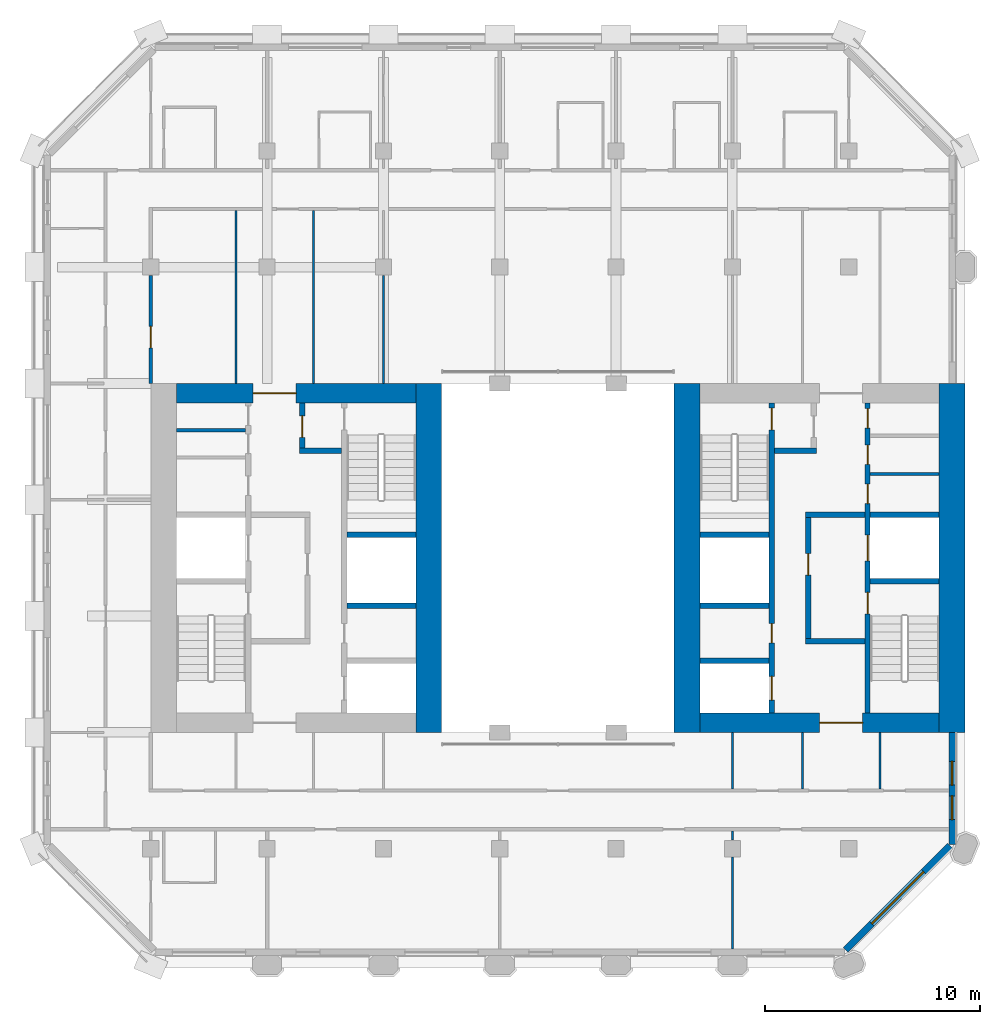
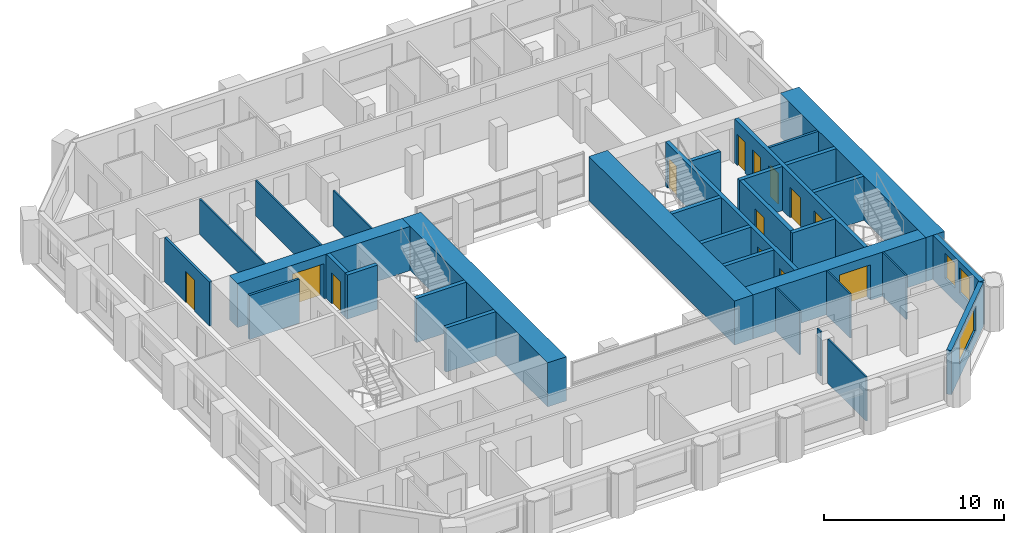
# One storey, part 8 of 14: 33 walls, 13 doors, 3 windows, 16 openings.
"""IFC4 building model written with IfcOpenShell, lengths in metres."""

import ifcopenshell
import ifcopenshell.guid

model = None  # the IFC model being written
_history = None  # IfcOwnerHistory: only IFC2X3 demands one
_inside = {}  # id of a spatial element -> (the spatial element, [elements in it])
_under = {}  # id of a project, library or spatial element -> (it, [spatial elements below it])
_declared = {}  # id of a project -> (the project, [libraries it declares])
_typed = {}  # id of a type object -> (the type object, [elements of that type])
_made_of = {}  # id of a material, layer set ... -> (it, [elements and type objects made of it])


def new_model(schema):
    """Start an empty IFC model of exactly this schema.

    Asked for "IFC4X3", IfcOpenShell would pick the latest addendum, in which some entities
    have other attributes; the version numbers below select the first issue.
    IFC2X3 requires an IfcOwnerHistory on every rooted entity: one is made here for all.
    """
    global model, _history
    if schema == "IFC4X3":
        model = ifcopenshell.file(schema_version=(4, 3, 0, 0))
    else:
        model = ifcopenshell.file(schema=schema)
    _inside.clear()
    _under.clear()
    _declared.clear()
    _typed.clear()
    _made_of.clear()
    _history = None
    if model.schema == "IFC2X3":
        org = make("IfcOrganization", Name="unknown")
        user = make(
            "IfcPersonAndOrganization",
            ThePerson=make("IfcPerson", FamilyName="unknown"),
            TheOrganization=org,
        )
        app = make(
            "IfcApplication",
            ApplicationDeveloper=org,
            Version="unknown",
            ApplicationFullName="unknown",
            ApplicationIdentifier="unknown",
        )
        _history = make(
            "IfcOwnerHistory",
            OwningUser=user,
            OwningApplication=app,
            ChangeAction="ADDED",
            CreationDate=0,
        )
    return model


def make(cls, **values):
    """One entity of the class cls with the attributes given. An attribute that is None is left unset."""
    return model.create_entity(
        cls, **{name: value for name, value in values.items() if value is not None}
    )


def rooted(cls, **values):
    """An entity with a GlobalId (a new one), such as an element, a storey or a relation."""
    return make(cls, GlobalId=ifcopenshell.guid.new(), OwnerHistory=_history, **values)


def si_unit(unit_type, name, prefix=None):
    """IfcSIUnit, for example si_unit("LENGTHUNIT", "METRE", prefix="MILLI")."""
    return make("IfcSIUnit", UnitType=unit_type, Prefix=prefix, Name=name)


def assignment(units):
    """IfcUnitAssignment: the units of a project."""
    return None if units is None else make("IfcUnitAssignment", Units=units)


def point(xyz):
    """IfcCartesianPoint."""
    return None if xyz is None else make("IfcCartesianPoint", Coordinates=xyz)


def direction(xyz):
    """IfcDirection."""
    return None if xyz is None else make("IfcDirection", DirectionRatios=xyz)


def frame(location, z_axis=None, x_axis=None):
    """IfcAxis2Placement3D, a coordinate frame: its origin and axes. An axis left out is left unset."""
    return make(
        "IfcAxis2Placement3D",
        Location=point(location),
        Axis=direction(z_axis),
        RefDirection=direction(x_axis),
    )


def frame_2d(location, x_axis=None):
    """IfcAxis2Placement2D, a coordinate frame in the plane: its origin and x axis."""
    return make(
        "IfcAxis2Placement2D", Location=point(location), RefDirection=direction(x_axis)
    )


def origin():
    """The frame at (0, 0, 0) with its axes left unset."""
    return frame((0.0, 0.0, 0.0))


def place(relative_to, where):
    """IfcLocalPlacement: puts the frame where relative to a parent placement (None: the world)."""
    return make(
        "IfcLocalPlacement", PlacementRelTo=relative_to, RelativePlacement=where
    )


def context(
    kind, dimensions, precision=None, world=None, true_north=None, identifier=None
):
    """IfcGeometricRepresentationContext, for example the 3D "Model" context."""
    return make(
        "IfcGeometricRepresentationContext",
        ContextIdentifier=identifier,
        ContextType=kind,
        CoordinateSpaceDimension=dimensions,
        Precision=precision,
        WorldCoordinateSystem=world,
        TrueNorth=true_north,
    )


def subcontext(parent, identifier, kind, view, scale=None):
    """IfcGeometricRepresentationSubContext, for example "Body" below "Model"."""
    return make(
        "IfcGeometricRepresentationSubContext",
        ContextIdentifier=identifier,
        ContextType=kind,
        ParentContext=parent,
        TargetScale=scale,
        TargetView=view,
    )


def project(units=None, contexts=None):
    """IfcProject with its units and contexts."""
    return rooted(
        "IfcProject",
        Name="project",
        RepresentationContexts=contexts,
        UnitsInContext=assignment(units),
    )


def spatial(cls, under=None, at=None, **own):
    """A site, building, storey or space (cls), placed at a placement, below another one or the project."""
    s = rooted(cls, ObjectPlacement=at, **own)
    if under is not None:
        _under.setdefault(under.id(), (under, []))[1].append(s)
    return s


def profile(cls, at=None, kind="AREA", **sizes):
    """A parametric profile (cls). Its sizes go by their IFC names, for example OverallWidth=200.0."""
    return make(cls, ProfileType=kind, Position=at, **sizes)


def rectangle(**sizes):
    """IfcRectangleProfileDef."""
    return profile("IfcRectangleProfileDef", **sizes)


def extrude(swept, where, along, depth):
    """IfcExtrudedAreaSolid: the profile swept, set in the frame where, extruded along a direction by depth."""
    return make(
        "IfcExtrudedAreaSolid",
        SweptArea=swept,
        Position=where,
        ExtrudedDirection=direction(along),
        Depth=depth,
    )


def shape(context_of_items, identifier, shape_type, items):
    """IfcShapeRepresentation: the items that make up one representation, for example the "Body"."""
    return make(
        "IfcShapeRepresentation",
        ContextOfItems=context_of_items,
        RepresentationIdentifier=identifier,
        RepresentationType=shape_type,
        Items=items,
    )


def material(Name=None, Category=None):
    """IfcMaterial."""
    return make("IfcMaterial", Name=Name, Category=Category)


def layer(
    of_material, thickness, ventilated=None, Name=None, Category=None, Priority=None
):
    """IfcMaterialLayer: one layer of a wall or slab, of a material (None: an air gap)."""
    return make(
        "IfcMaterialLayer",
        Material=of_material,
        LayerThickness=thickness,
        IsVentilated=ventilated,
        Name=Name,
        Category=Category,
        Priority=Priority,
    )


def layer_set(layers, Name=None):
    """IfcMaterialLayerSet."""
    return make("IfcMaterialLayerSet", MaterialLayers=layers, LayerSetName=Name)


def made_of(thing, what):
    """Note that an element or type object is made of a material, layer set ...; save() writes the relation."""
    if what is not None:
        _made_of.setdefault(what.id(), (what, []))[1].append(thing)
    return thing


def type_object(cls, material=None, **own):
    """A type object (cls), such as IfcWallType, which elements share."""
    return made_of(rooted(cls, **own), material)


def element(
    cls,
    number,
    at=None,
    inside=None,
    cuts=None,
    type_object=None,
    material=None,
    context=None,
    identifier="Body",
    shape_type=None,
    held_by="IfcProductDefinitionShape",
    body=None,
    shapes=None,
    **own,
):
    """One element of the class cls, such as IfcWall. Its Tag is "e" and its number.

    at: its placement. inside: the storey or other place that contains it. cuts: it is an
    opening in that element (IfcRelVoidsElement). A single representation is given by context,
    identifier, shape_type and body (its items); several are given by shapes. held_by: the class
    of the entity that holds the representations. save() writes the other relations.
    """
    e = rooted(cls, Tag="e%d" % number, ObjectPlacement=at, **own)
    if body is not None:
        shapes = [shape(context, identifier, shape_type, body)]
    if shapes is not None:
        e.Representation = make(held_by, Representations=shapes)
    if inside is not None:
        _inside.setdefault(inside.id(), (inside, []))[1].append(e)
    if cuts is not None:
        rooted(
            "IfcRelVoidsElement", RelatingBuildingElement=cuts, RelatedOpeningElement=e
        )
    if type_object is not None:
        _typed.setdefault(type_object.id(), (type_object, []))[1].append(e)
    return made_of(e, material)


def fill(opening, filler):
    """IfcRelFillsElement: the door or window that sits in an opening."""
    return rooted(
        "IfcRelFillsElement",
        RelatingOpeningElement=opening,
        RelatedBuildingElement=filler,
    )


def aggregate(whole, parts):
    """IfcRelAggregates: a whole, such as a stair, and the parts it consists of."""
    return rooted("IfcRelAggregates", RelatingObject=whole, RelatedObjects=parts)


def save(model, path):
    """Write the relations noted so far, then the file.

    IfcRelAggregates (storeys below a building ...), IfcRelContainedInSpatialStructure (elements
    in a storey), IfcRelDefinesByType, IfcRelAssociatesMaterial and IfcRelDeclares: one each for
    every whole, place, type object, material and project.
    """
    for whole, parts in _under.values():
        aggregate(whole, parts)
    for where, things in _inside.values():
        rooted(
            "IfcRelContainedInSpatialStructure",
            RelatedElements=things,
            RelatingStructure=where,
        )
    for kind, things in _typed.values():
        rooted("IfcRelDefinesByType", RelatedObjects=things, RelatingType=kind)
    for what, things in _made_of.values():
        rooted("IfcRelAssociatesMaterial", RelatedObjects=things, RelatingMaterial=what)
    for by, libraries in _declared.values():
        rooted("IfcRelDeclares", RelatingContext=by, RelatedDefinitions=libraries)
    model.write(path)


model = new_model("IFC4")

# Units and contexts
model_context = context("Model", 3, precision=1e-05, world=origin(), true_north=direction((0.0, 1.0)))
body_context = subcontext(model_context, "Body", "Model", "MODEL_VIEW")
ifc_project = project(units=[si_unit("LENGTHUNIT", "METRE"), si_unit("AREAUNIT", "SQUARE_METRE"), si_unit("VOLUMEUNIT", "CUBIC_METRE"), si_unit("PLANEANGLEUNIT", "RADIAN"), si_unit("MASSUNIT", "GRAM", prefix="KILO")], contexts=[model_context])

# Site, building, storey
site_placement = place(None, origin())
site = spatial("IfcSite", under=ifc_project, at=site_placement, CompositionType="ELEMENT")
building_placement = place(site_placement, origin())
building = spatial("IfcBuilding", under=site, at=building_placement, Name="Tabaq Tower and Sports Hall", CompositionType="ELEMENT")
storey_placement = place(building_placement, frame((0.0, 0.0, 226.89990234375)))
storey = spatial("IfcBuildingStorey", under=building, at=storey_placement, Name="L57", CompositionType="ELEMENT", Elevation=226.89990234375)

# Walls
ifc_material_1 = material(Name="Blockwork", Category="masonry")
ifc_layer_1 = layer(ifc_material_1, 0.14990234375)
ifc_layer_set_1 = layer_set([ifc_layer_1], Name="Core room partition 150 Blockwork")
wall_type_1 = type_object("IfcWallType", Name="Core room partition 150 Blockwork", PredefinedType="PARTITIONING", material=ifc_layer_set_1)
for number, where, z_axis, x_axis, name in (
    (1, (6.60009765625, 30.23193359375, 0.0), (0.0, 0.0, 1.0), (1.0, 0.0, 0.0), "Core room partition W L57"),
    (2, (38.800048828125, 28.200927734375, 0.0), (0.0, 0.0, 1.0), (1.0, 0.0, 0.0), "Core room partition E L57"),
):
    element("IfcWall", number, at=place(storey_placement, frame(where, z_axis=z_axis, x_axis=x_axis)), inside=storey, type_object=wall_type_1, Name=name, PredefinedType="PARTITIONING", context=body_context, shape_type="SweptSolid", body=[
        extrude(rectangle(XDim=3.199951171875, YDim=0.14990234375, at=frame_2d((1.60009765625, 0.0))), origin(), (0.0, 0.0, 1.0), 3.0),
    ])
ifc_material_2 = material(Name="Concrete C50/60", Category="concrete")
ifc_layer_2 = layer(ifc_material_2, 1.199951171875)
ifc_layer_set_2 = layer_set([ifc_layer_2], Name="Core wall 1200 Concrete C50/60")
wall_type_2 = type_object("IfcWallType", Name="Core wall 1200 Concrete C50/60", PredefinedType="SOLIDWALL", material=ifc_layer_set_2)
for number, where, z_axis, x_axis, name in (
    (3, (18.300048828125, 32.39990234375, 0.0), (0.0, 0.0, 1.0), (0.0, -1.0, 0.0), "Core wall W L57"),
    (4, (42.60009765625, 32.39990234375, 0.0), (0.0, 0.0, 1.0), (0.0, -1.0, 0.0), "Core wall E L57"),
    (5, (30.300048828125, 16.199951171875, 0.0), (0.0, 0.0, 1.0), (0.0, 1.0, 0.0), "Core wall E L57"),
):
    element("IfcWall", number, at=place(storey_placement, frame(where, z_axis=z_axis, x_axis=x_axis)), inside=storey, type_object=wall_type_2, Name=name, PredefinedType="SOLIDWALL", context=body_context, shape_type="SweptSolid", body=[
        extrude(rectangle(XDim=16.199951171875, YDim=1.199951171875, at=frame_2d((8.10009765625, 0.0))), origin(), (0.0, 0.0, 1.0), 3.0),
    ])

# Wall, opening, door
ifc_material_3 = material(Name="Concrete C50/60", Category="concrete")
ifc_layer_3 = layer(ifc_material_3, 0.89990234375)
ifc_layer_set_3 = layer_set([ifc_layer_3], Name="Core wall 900 Concrete C50/60")
wall_type_3 = type_object("IfcWallType", Name="Core wall 900 Concrete C50/60", PredefinedType="SOLIDWALL", material=ifc_layer_set_3)
wall_1_placement = place(storey_placement, frame((6.60009765625, 31.949951171875, 0.0), z_axis=(0.0, 0.0, 1.0), x_axis=(1.0, 0.0, 0.0)))
wall_1 = element("IfcWall", 6, at=wall_1_placement, inside=storey, type_object=wall_type_3, Name="Core wall W L57", PredefinedType="SOLIDWALL", context=body_context, shape_type="SweptSolid", body=[
    extrude(rectangle(XDim=11.099853515625, YDim=0.89990234375, at=frame_2d((5.5498046875, 0.0))), origin(), (0.0, 0.0, 1.0), 3.0),
])
opening_1_placement = place(wall_1_placement, frame((3.550048828125, 0.0, 0.0)))
opening_1 = element("IfcOpeningElement", 7, at=opening_1_placement, cuts=wall_1, Name="Opening PD-WL57-02", PredefinedType="OPENING", context=body_context, shape_type="SweptSolid", body=[
    extrude(rectangle(XDim=2.0, YDim=2.39990234375, at=frame_2d((1.0, 1.199951171875))), frame((0.0, 0.449951171875, 0.0), z_axis=(0.0, -1.0, 0.0), x_axis=(1.0, 0.0, 0.0)), (0.0, 0.0, 1.0), 0.89990234375),
])
ifc_material_4 = material(Name="Steel fire door", Category="steel")
door_type_1 = type_object("IfcDoorType", Name="Core entrance door 2000", OperationType="DOUBLE_DOOR_SINGLE_SWING", PredefinedType="DOOR", material=ifc_material_4)
door_1_placement = place(opening_1_placement, origin())
door_1 = element("IfcDoor", 8, at=door_1_placement, inside=storey, type_object=door_type_1, Name="Core entrance north W L57", OperationType="DOUBLE_DOOR_SINGLE_SWING", OverallHeight=2.39990234375, OverallWidth=2.0, PredefinedType="DOOR", context=body_context, shape_type="SweptSolid", body=[
    extrude(rectangle(XDim=2.0, YDim=2.39990234375, at=frame_2d((1.0, 1.199951171875))), frame((0.0, 0.02490234375, 0.0), z_axis=(0.0, -1.0, 0.0), x_axis=(1.0, 0.0, 0.0)), (0.0, 0.0, 1.0), 0.050048828125),
])
fill(opening_1, door_1)

wall_2_placement = place(storey_placement, frame((42.0, 16.64990234375, 0.0), z_axis=(0.0, 0.0, 1.0), x_axis=(-1.0, 0.0, 0.0)))
wall_2 = element("IfcWall", 9, at=wall_2_placement, inside=storey, type_object=wall_type_3, Name="Core wall E L57", PredefinedType="SOLIDWALL", context=body_context, shape_type="SweptSolid", body=[
    extrude(rectangle(XDim=11.10009765625, YDim=0.89990234375, at=frame_2d((5.550048828125, 0.0))), origin(), (0.0, 0.0, 1.0), 3.0),
])
opening_2_placement = place(wall_2_placement, frame((3.550048828125, 0.0, 0.0)))
opening_2 = element("IfcOpeningElement", 10, at=opening_2_placement, cuts=wall_2, Name="Opening PD-EL57-01", PredefinedType="OPENING", context=body_context, shape_type="SweptSolid", body=[
    extrude(rectangle(XDim=2.0, YDim=2.39990234375, at=frame_2d((1.0, 1.199951171875))), frame((0.0, 0.449951171875, 0.0), z_axis=(0.0, -1.0, 0.0), x_axis=(1.0, 0.0, 0.0)), (0.0, 0.0, 1.0), 0.89990234375),
])
door_2_placement = place(opening_2_placement, origin())
door_2 = element("IfcDoor", 11, at=door_2_placement, inside=storey, type_object=door_type_1, Name="Core entrance south E L57", OperationType="DOUBLE_DOOR_SINGLE_SWING", OverallHeight=2.39990234375, OverallWidth=2.0, PredefinedType="DOOR", context=body_context, shape_type="SweptSolid", body=[
    extrude(rectangle(XDim=2.0, YDim=2.39990234375, at=frame_2d((1.0, 1.199951171875))), frame((0.0, 0.02490234375, 0.0), z_axis=(0.0, -1.0, 0.0), x_axis=(1.0, 0.0, 0.0)), (0.0, 0.0, 1.0), 0.050048828125),
])
fill(opening_2, door_2)

# Walls
ifc_material_5 = material(Name="Gypsum board on steel studs", Category="steel")
ifc_layer_4 = layer(ifc_material_5, 0.10009765625)
ifc_layer_set_4 = layer_set([ifc_layer_4], Name="Partition 100 Gypsum board")
wall_type_4 = type_object("IfcWallType", Name="Partition 100 Gypsum board", PredefinedType="PARTITIONING", material=ifc_layer_set_4)
wall_3_placement = place(storey_placement, frame((16.199951171875, 37.405029296875, 0.0), z_axis=(0.0, 0.0, 1.0), x_axis=(0.0, -1.0, 0.0)))
element("IfcWall", 12, at=wall_3_placement, inside=storey, type_object=wall_type_4, Name="Partition wall L57", PredefinedType="PARTITIONING", context=body_context, shape_type="SweptSolid", body=[
    extrude(rectangle(XDim=5.005126953125, YDim=0.10009765625, at=frame_2d((2.50244140625, 0.0))), origin(), (0.0, 0.0, 1.0), 2.400146484375),
])
for number, where, z_axis, x_axis, name in (
    (13, (12.949951171875, 32.39990234375, 0.0), (0.0, 0.0, 1.0), (0.0, 1.0, 0.0), "Partition wall L57"),
    (14, (9.35009765625, 40.425048828125, 0.0), (0.0, 0.0, 1.0), (0.0, -1.0, 0.0), "Partition wall L57"),
):
    element("IfcWall", number, at=place(storey_placement, frame(where, z_axis=z_axis, x_axis=x_axis)), inside=storey, type_object=wall_type_4, Name=name, PredefinedType="PARTITIONING", context=body_context, shape_type="SweptSolid", body=[
        extrude(rectangle(XDim=8.025146484375, YDim=0.10009765625, at=frame_2d((4.0126953125, 0.0))), origin(), (0.0, 0.0, 1.0), 2.400146484375),
    ])
wall_4_placement = place(storey_placement, frame((32.39990234375, 11.625, 0.0), z_axis=(0.0, 0.0, 1.0), x_axis=(0.0, -1.0, 0.0)))
element("IfcWall", 15, at=wall_4_placement, inside=storey, type_object=wall_type_4, Name="Partition wall L57", PredefinedType="PARTITIONING", context=body_context, shape_type="SweptSolid", body=[
    extrude(rectangle(XDim=0.429931640625, YDim=0.10009765625, at=frame_2d((0.21484375, 0.0))), origin(), (0.0, 0.0, 1.0), 3.0),
])
wall_5_placement = place(storey_placement, frame((32.39990234375, 10.405029296875, 0.0), z_axis=(0.0, 0.0, 1.0), x_axis=(0.0, -1.0, 0.0)))
element("IfcWall", 16, at=wall_5_placement, inside=storey, type_object=wall_type_4, Name="Partition wall L57", PredefinedType="PARTITIONING", context=body_context, shape_type="SweptSolid", body=[
    extrude(rectangle(XDim=4.254150390625, YDim=0.10009765625, at=frame_2d((2.126953125, 0.0))), origin(), (0.0, 0.0, 1.0), 3.0),
])
for number, where, z_axis, x_axis, name in (
    (17, (32.39990234375, 13.574951171875, 0.0), (0.0, 0.0, 1.0), (0.0, 1.0, 0.0), "Partition wall L57"),
    (18, (39.25, 13.574951171875, 0.0), (0.0, 0.0, 1.0), (0.0, 1.0, 0.0), "Partition wall L57"),
    (19, (35.64990234375, 16.199951171875, 0.0), (0.0, 0.0, 1.0), (0.0, -1.0, 0.0), "Partition wall L57"),
):
    element("IfcWall", number, at=place(storey_placement, frame(where, z_axis=z_axis, x_axis=x_axis)), inside=storey, type_object=wall_type_4, Name=name, PredefinedType="PARTITIONING", context=body_context, shape_type="SweptSolid", body=[
        extrude(rectangle(XDim=2.625, YDim=0.10009765625, at=frame_2d((1.3125, 0.0))), origin(), (0.0, 0.0, 1.0), 3.0),
    ])

# Wall, opening, door
ifc_material_6 = material(Name="Blockwork", Category="masonry")
ifc_layer_5 = layer(ifc_material_6, 0.14990234375)
ifc_layer_set_5 = layer_set([ifc_layer_5], Name="Separating wall 150 Blockwork")
wall_type_5 = type_object("IfcWallType", Name="Separating wall 150 Blockwork", PredefinedType="PARTITIONING", material=ifc_layer_set_5)
wall_6_placement = place(storey_placement, frame((5.39990234375, 32.39990234375, 0.0), z_axis=(0.0, 0.0, 1.0), x_axis=(0.0, 1.0, 0.0)))
wall_6 = element("IfcWall", 20, at=wall_6_placement, inside=storey, type_object=wall_type_5, Name="Separating wall L57", PredefinedType="PARTITIONING", context=body_context, shape_type="SweptSolid", body=[
    extrude(rectangle(XDim=5.005126953125, YDim=0.14990234375, at=frame_2d((2.50244140625, 0.0))), origin(), (0.0, 0.0, 1.0), 3.0),
])
opening_3_placement = place(wall_6_placement, frame((1.654052734375, 0.0, 0.0)))
opening_3 = element("IfcOpeningElement", 21, at=opening_3_placement, cuts=wall_6, Name="Opening L57-011", PredefinedType="OPENING", context=body_context, shape_type="SweptSolid", body=[
    extrude(rectangle(XDim=1.0, YDim=2.10009765625, at=frame_2d((0.5, 1.050048828125))), frame((0.0, 0.074951171875, 0.0), z_axis=(0.0, -1.0, 0.0), x_axis=(1.0, 0.0, 0.0)), (0.0, 0.0, 1.0), 0.14990234375),
])
ifc_material_7 = material(Name="Timber leaf in steel frame", Category="steel")
door_type_2 = type_object("IfcDoorType", Name="Internal door 1000 left hand", OperationType="SINGLE_SWING_LEFT", PredefinedType="DOOR", material=ifc_material_7)
door_3_placement = place(opening_3_placement, origin())
door_3 = element("IfcDoor", 22, at=door_3_placement, inside=storey, type_object=door_type_2, Name="Internal door L57-011", OperationType="SINGLE_SWING_LEFT", OverallHeight=2.10009765625, OverallWidth=1.0, PredefinedType="DOOR", context=body_context, shape_type="SweptSolid", body=[
    extrude(rectangle(XDim=1.0, YDim=2.10009765625, at=frame_2d((0.5, 1.050048828125))), frame((0.0, 0.02490234375, 0.0), z_axis=(0.0, -1.0, 0.0), x_axis=(1.0, 0.0, 0.0)), (0.0, 0.0, 1.0), 0.050048828125),
])
fill(opening_3, door_3)

# Walls
ifc_material_8 = material(Name="Concrete C40/50", Category="concrete")
ifc_layer_6 = layer(ifc_material_8, 0.25)
ifc_layer_set_6 = layer_set([ifc_layer_6], Name="Shaft and stair wall 250 Concrete C40/50")
wall_type_6 = type_object("IfcWallType", Name="Shaft and stair wall 250 Concrete C40/50", PredefinedType="SOLIDWALL", material=ifc_layer_set_6)
for number, where, z_axis, x_axis, name in (
    (23, (14.5, 25.375, 0.0), (0.0, 0.0, 1.0), (1.0, 0.0, 0.0), "Stair enclosure wall W L57"),
    (24, (14.5, 22.074951171875, 0.0), (0.0, 0.0, 1.0), (1.0, 0.0, 0.0), "Shaft wall W L57"),
):
    element("IfcWall", number, at=place(storey_placement, frame(where, z_axis=z_axis, x_axis=x_axis)), inside=storey, type_object=wall_type_6, Name=name, PredefinedType="SOLIDWALL", context=body_context, shape_type="SweptSolid", body=[
        extrude(rectangle(XDim=3.199951171875, YDim=0.25, at=frame_2d((1.60009765625, 0.0))), origin(), (0.0, 0.0, 1.0), 3.0),
    ])

# Wall, opening, door
wall_7_placement = place(storey_placement, frame((12.425048828125, 29.39990234375, 0.0), z_axis=(0.0, 0.0, 1.0), x_axis=(0.0, 1.0, 0.0)))
wall_7 = element("IfcWall", 25, at=wall_7_placement, inside=storey, type_object=wall_type_6, Name="Fire-fighting lobby wall W L57", PredefinedType="SOLIDWALL", context=body_context, shape_type="SweptSolid", body=[
    extrude(rectangle(XDim=2.10009765625, YDim=0.25, at=frame_2d((1.050048828125, 0.0))), origin(), (0.0, 0.0, 1.0), 3.0),
])
opening_4_placement = place(wall_7_placement, frame((0.5, 0.0, 0.0)))
opening_4 = element("IfcOpeningElement", 26, at=opening_4_placement, cuts=wall_7, Name="Opening FD-WL57-06", PredefinedType="OPENING", context=body_context, shape_type="SweptSolid", body=[
    extrude(rectangle(XDim=1.0, YDim=2.10009765625, at=frame_2d((0.5, 1.050048828125))), frame((0.0, 0.125, 0.0), z_axis=(0.0, -1.0, 0.0), x_axis=(1.0, 0.0, 0.0)), (0.0, 0.0, 1.0), 0.25),
])
ifc_material_9 = material(Name="Steel fire door", Category="steel")
door_type_3 = type_object("IfcDoorType", Name="Fire-fighting lobby door 1000", OperationType="SINGLE_SWING_LEFT", PredefinedType="DOOR", material=ifc_material_9)
door_4_placement = place(opening_4_placement, origin())
door_4 = element("IfcDoor", 27, at=door_4_placement, inside=storey, type_object=door_type_3, Name="Stair lobby door W L57", OperationType="SINGLE_SWING_LEFT", OverallHeight=2.10009765625, OverallWidth=1.0, PredefinedType="DOOR", context=body_context, shape_type="SweptSolid", body=[
    extrude(rectangle(XDim=1.0, YDim=2.10009765625, at=frame_2d((0.5, 1.050048828125))), frame((0.0, 0.02490234375, 0.0), z_axis=(0.0, -1.0, 0.0), x_axis=(1.0, 0.0, 0.0)), (0.0, 0.0, 1.0), 0.050048828125),
])
fill(opening_4, door_4)

# Wall
wall_8_placement = place(storey_placement, frame((12.300048828125, 29.27490234375, 0.0), z_axis=(0.0, 0.0, 1.0), x_axis=(1.0, 0.0, 0.0)))
element("IfcWall", 28, at=wall_8_placement, inside=storey, type_object=wall_type_6, Name="Fire-fighting lobby wall W L57", PredefinedType="SOLIDWALL", context=body_context, shape_type="SweptSolid", body=[
    extrude(rectangle(XDim=1.949951171875, YDim=0.25, at=frame_2d((0.97509765625, 0.0))), origin(), (0.0, 0.0, 1.0), 3.0),
])

# Wall, openings, doors
wall_9_placement = place(storey_placement, frame((38.675048828125, 17.10009765625, 0.0), z_axis=(0.0, 0.0, 1.0), x_axis=(0.0, 1.0, 0.0)))
wall_9 = element("IfcWall", 29, at=wall_9_placement, inside=storey, type_object=wall_type_6, Name="Shaft wall E L57", PredefinedType="SOLIDWALL", context=body_context, shape_type="SweptSolid", body=[
    extrude(rectangle(XDim=14.39990234375, YDim=0.25, at=frame_2d((7.199951171875, 0.0))), origin(), (0.0, 0.0, 1.0), 3.0),
])
opening_5_placement = place(wall_9_placement, frame((4.60009765625, 0.0, 0.0)))
opening_5 = element("IfcOpeningElement", 30, at=opening_5_placement, cuts=wall_9, Name="Opening SD-EL57-03", PredefinedType="OPENING", context=body_context, shape_type="SweptSolid", body=[
    extrude(rectangle(XDim=1.0, YDim=2.10009765625, at=frame_2d((0.5, 1.050048828125))), frame((0.0, 0.125, 0.0), z_axis=(0.0, -1.0, 0.0), x_axis=(1.0, 0.0, 0.0)), (0.0, 0.0, 1.0), 0.25),
])
opening_6_placement = place(wall_9_placement, frame((7.0625, 0.0, 0.0)))
opening_6 = element("IfcOpeningElement", 31, at=opening_6_placement, cuts=wall_9, Name="Opening LD-FF2-L57", PredefinedType="OPENING", context=body_context, shape_type="SweptSolid", body=[
    extrude(rectangle(XDim=1.199951171875, YDim=2.10009765625, at=frame_2d((0.60009765625, 1.050048828125))), frame((0.0, 0.125, 0.0), z_axis=(0.0, -1.0, 0.0), x_axis=(1.0, 0.0, 0.0)), (0.0, 0.0, 1.0), 0.25),
])
opening_7_placement = place(wall_9_placement, frame((9.7255859375, 0.0, 0.0)))
opening_7 = element("IfcOpeningElement", 32, at=opening_7_placement, cuts=wall_9, Name="Opening RD-EL57-09", PredefinedType="OPENING", context=body_context, shape_type="SweptSolid", body=[
    extrude(rectangle(XDim=0.89990234375, YDim=2.10009765625, at=frame_2d((0.449951171875, 1.050048828125))), frame((0.0, 0.125, 0.0), z_axis=(0.0, -1.0, 0.0), x_axis=(1.0, 0.0, 0.0)), (0.0, 0.0, 1.0), 0.25),
])
opening_8_placement = place(wall_9_placement, frame((11.5390625, 0.0, 0.0)))
opening_8 = element("IfcOpeningElement", 33, at=opening_8_placement, cuts=wall_9, Name="Opening RD-EL57-10", PredefinedType="OPENING", context=body_context, shape_type="SweptSolid", body=[
    extrude(rectangle(XDim=0.89990234375, YDim=2.10009765625, at=frame_2d((0.449951171875, 1.050048828125))), frame((0.0, 0.125, 0.0), z_axis=(0.0, -1.0, 0.0), x_axis=(1.0, 0.0, 0.0)), (0.0, 0.0, 1.0), 0.25),
])
opening_9_placement = place(wall_9_placement, frame((13.22607421875, 0.0, 0.0)))
opening_9 = element("IfcOpeningElement", 34, at=opening_9_placement, cuts=wall_9, Name="Opening RD-EL57-11", PredefinedType="OPENING", context=body_context, shape_type="SweptSolid", body=[
    extrude(rectangle(XDim=0.89990234375, YDim=2.10009765625, at=frame_2d((0.449951171875, 1.050048828125))), frame((0.0, 0.125, 0.0), z_axis=(0.0, -1.0, 0.0), x_axis=(1.0, 0.0, 0.0)), (0.0, 0.0, 1.0), 0.25),
])
ifc_material_10 = material(Name="Steel fire door", Category="steel")
door_type_4 = type_object("IfcDoorType", Name="Core room door 900", OperationType="SINGLE_SWING_LEFT", PredefinedType="DOOR", material=ifc_material_10)
door_5_placement = place(opening_7_placement, origin())
door_5 = element("IfcDoor", 35, at=door_5_placement, inside=storey, type_object=door_type_4, Name="Door Accessible WC E L57", OperationType="SINGLE_SWING_LEFT", OverallHeight=2.10009765625, OverallWidth=0.89990234375, PredefinedType="DOOR", context=body_context, shape_type="SweptSolid", body=[
    extrude(rectangle(XDim=0.89990234375, YDim=2.10009765625, at=frame_2d((0.449951171875, 1.050048828125))), frame((0.0, 0.02490234375, 0.0), z_axis=(0.0, -1.0, 0.0), x_axis=(1.0, 0.0, 0.0)), (0.0, 0.0, 1.0), 0.050048828125),
])
fill(opening_7, door_5)
door_6_placement = place(opening_8_placement, origin())
door_6 = element("IfcDoor", 36, at=door_6_placement, inside=storey, type_object=door_type_4, Name="Door Unisex WC E L57", OperationType="SINGLE_SWING_LEFT", OverallHeight=2.10009765625, OverallWidth=0.89990234375, PredefinedType="DOOR", context=body_context, shape_type="SweptSolid", body=[
    extrude(rectangle(XDim=0.89990234375, YDim=2.10009765625, at=frame_2d((0.449951171875, 1.050048828125))), frame((0.0, 0.02490234375, 0.0), z_axis=(0.0, -1.0, 0.0), x_axis=(1.0, 0.0, 0.0)), (0.0, 0.0, 1.0), 0.050048828125),
])
fill(opening_8, door_6)
door_7_placement = place(opening_9_placement, origin())
door_7 = element("IfcDoor", 37, at=door_7_placement, inside=storey, type_object=door_type_4, Name="Door Cleaner's Store E L57", OperationType="SINGLE_SWING_LEFT", OverallHeight=2.10009765625, OverallWidth=0.89990234375, PredefinedType="DOOR", context=body_context, shape_type="SweptSolid", body=[
    extrude(rectangle(XDim=0.89990234375, YDim=2.10009765625, at=frame_2d((0.449951171875, 1.050048828125))), frame((0.0, 0.02490234375, 0.0), z_axis=(0.0, -1.0, 0.0), x_axis=(1.0, 0.0, 0.0)), (0.0, 0.0, 1.0), 0.050048828125),
])
fill(opening_9, door_7)
ifc_material_11 = material(Name="Stainless steel", Category="steel")
door_type_5 = type_object("IfcDoorType", Name="Lift landing door 1200", OperationType="DOUBLE_DOOR_SLIDING", PredefinedType="DOOR", material=ifc_material_11)
door_8_placement = place(opening_6_placement, origin())
door_8 = element("IfcDoor", 38, at=door_8_placement, inside=storey, type_object=door_type_5, Name="Lift landing door FF2 E L57", OperationType="DOUBLE_DOOR_SLIDING", OverallHeight=2.10009765625, OverallWidth=1.199951171875, PredefinedType="DOOR", context=body_context, shape_type="SweptSolid", body=[
    extrude(rectangle(XDim=1.199951171875, YDim=2.10009765625, at=frame_2d((0.60009765625, 1.050048828125))), frame((0.0, 0.02490234375, 0.0), z_axis=(0.0, -1.0, 0.0), x_axis=(1.0, 0.0, 0.0)), (0.0, 0.0, 1.0), 0.050048828125),
])
fill(opening_6, door_8)
ifc_material_12 = material(Name="Steel fire door", Category="steel")
door_type_6 = type_object("IfcDoorType", Name="Stair door 1000", OperationType="SINGLE_SWING_LEFT", PredefinedType="DOOR", material=ifc_material_12)
door_9_placement = place(opening_5_placement, origin())
door_9 = element("IfcDoor", 39, at=door_9_placement, inside=storey, type_object=door_type_6, Name="Stair door ST3 E L57", OperationType="SINGLE_SWING_LEFT", OverallHeight=2.10009765625, OverallWidth=1.0, PredefinedType="DOOR", context=body_context, shape_type="SweptSolid", body=[
    extrude(rectangle(XDim=1.0, YDim=2.10009765625, at=frame_2d((0.5, 1.050048828125))), frame((0.0, 0.02490234375, 0.0), z_axis=(0.0, -1.0, 0.0), x_axis=(1.0, 0.0, 0.0)), (0.0, 0.0, 1.0), 0.050048828125),
])
fill(opening_5, door_9)

wall_10_placement = place(storey_placement, frame((34.22509765625, 17.10009765625, 0.0), z_axis=(0.0, 0.0, 1.0), x_axis=(0.0, 1.0, 0.0)))
wall_10 = element("IfcWall", 40, at=wall_10_placement, inside=storey, type_object=wall_type_6, Name="Shaft wall E L57", PredefinedType="SOLIDWALL", context=body_context, shape_type="SweptSolid", body=[
    extrude(rectangle(XDim=14.39990234375, YDim=0.25, at=frame_2d((7.199951171875, 0.0))), origin(), (0.0, 0.0, 1.0), 3.0),
])
opening_10_placement = place(wall_10_placement, frame((13.14990234375, 0.0, 0.0)))
opening_10 = element("IfcOpeningElement", 41, at=opening_10_placement, cuts=wall_10, Name="Opening SD-EL57-05", PredefinedType="OPENING", context=body_context, shape_type="SweptSolid", body=[
    extrude(rectangle(XDim=1.0, YDim=2.10009765625, at=frame_2d((0.5, 1.050048828125))), frame((0.0, 0.125, 0.0), z_axis=(0.0, -1.0, 0.0), x_axis=(1.0, 0.0, 0.0)), (0.0, 0.0, 1.0), 0.25),
])
opening_11_placement = place(wall_10_placement, frame((0.60009765625, 0.0, 0.0)))
opening_11 = element("IfcOpeningElement", 42, at=opening_11_placement, cuts=wall_10, Name="Opening LD-MR2-L57", PredefinedType="OPENING", context=body_context, shape_type="SweptSolid", body=[
    extrude(rectangle(XDim=1.10009765625, YDim=2.10009765625, at=frame_2d((0.550048828125, 1.050048828125))), frame((0.0, 0.125, 0.0), z_axis=(0.0, -1.0, 0.0), x_axis=(1.0, 0.0, 0.0)), (0.0, 0.0, 1.0), 0.25),
])
opening_12_placement = place(wall_10_placement, frame((3.25, 0.0, 0.0)))
opening_12 = element("IfcOpeningElement", 43, at=opening_12_placement, cuts=wall_10, Name="Opening RD-EL57-12", PredefinedType="OPENING", context=body_context, shape_type="SweptSolid", body=[
    extrude(rectangle(XDim=0.89990234375, YDim=2.10009765625, at=frame_2d((0.449951171875, 1.050048828125))), frame((0.0, 0.125, 0.0), z_axis=(0.0, -1.0, 0.0), x_axis=(1.0, 0.0, 0.0)), (0.0, 0.0, 1.0), 0.25),
])
door_10_placement = place(opening_12_placement, origin())
door_10 = element("IfcDoor", 44, at=door_10_placement, inside=storey, type_object=door_type_4, Name="Door Cleaner's Store E L57", OperationType="SINGLE_SWING_LEFT", OverallHeight=2.10009765625, OverallWidth=0.89990234375, PredefinedType="DOOR", context=body_context, shape_type="SweptSolid", body=[
    extrude(rectangle(XDim=0.89990234375, YDim=2.10009765625, at=frame_2d((0.449951171875, 1.050048828125))), frame((0.0, 0.02490234375, 0.0), z_axis=(0.0, -1.0, 0.0), x_axis=(1.0, 0.0, 0.0)), (0.0, 0.0, 1.0), 0.050048828125),
])
fill(opening_12, door_10)
ifc_material_13 = material(Name="Stainless steel", Category="steel")
door_type_7 = type_object("IfcDoorType", Name="Lift landing door 1100", OperationType="DOUBLE_DOOR_SLIDING", PredefinedType="DOOR", material=ifc_material_13)
door_11_placement = place(opening_11_placement, origin())
door_11 = element("IfcDoor", 45, at=door_11_placement, inside=storey, type_object=door_type_7, Name="Lift landing door MR2 E L57", OperationType="DOUBLE_DOOR_SLIDING", OverallHeight=2.10009765625, OverallWidth=1.10009765625, PredefinedType="DOOR", context=body_context, shape_type="SweptSolid", body=[
    extrude(rectangle(XDim=1.10009765625, YDim=2.10009765625, at=frame_2d((0.550048828125, 1.050048828125))), frame((0.0, 0.02490234375, 0.0), z_axis=(0.0, -1.0, 0.0), x_axis=(1.0, 0.0, 0.0)), (0.0, 0.0, 1.0), 0.050048828125),
])
fill(opening_11, door_11)
door_12_placement = place(opening_10_placement, origin())
door_12 = element("IfcDoor", 46, at=door_12_placement, inside=storey, type_object=door_type_6, Name="Stair door ST4 E L57", OperationType="SINGLE_SWING_LEFT", OverallHeight=2.10009765625, OverallWidth=1.0, PredefinedType="DOOR", context=body_context, shape_type="SweptSolid", body=[
    extrude(rectangle(XDim=1.0, YDim=2.10009765625, at=frame_2d((0.5, 1.050048828125))), frame((0.0, 0.02490234375, 0.0), z_axis=(0.0, -1.0, 0.0), x_axis=(1.0, 0.0, 0.0)), (0.0, 0.0, 1.0), 0.050048828125),
])
fill(opening_10, door_12)

# Walls
wall_11_placement = place(storey_placement, frame((38.800048828125, 23.22509765625, 0.0), z_axis=(0.0, 0.0, 1.0), x_axis=(1.0, 0.0, 0.0)))
element("IfcWall", 47, at=wall_11_placement, inside=storey, type_object=wall_type_6, Name="Stair enclosure wall E L57", PredefinedType="SOLIDWALL", context=body_context, shape_type="SweptSolid", body=[
    extrude(rectangle(XDim=3.199951171875, YDim=0.25, at=frame_2d((1.60009765625, 0.0))), origin(), (0.0, 0.0, 1.0), 3.0),
])
for number, where, z_axis, x_axis, name in (
    (48, (30.89990234375, 25.375, 0.0), (0.0, 0.0, 1.0), (1.0, 0.0, 0.0), "Stair enclosure wall E L57"),
    (49, (30.89990234375, 22.074951171875, 0.0), (0.0, 0.0, 1.0), (1.0, 0.0, 0.0), "Shaft wall E L57"),
):
    element("IfcWall", number, at=place(storey_placement, frame(where, z_axis=z_axis, x_axis=x_axis)), inside=storey, type_object=wall_type_6, Name=name, PredefinedType="SOLIDWALL", context=body_context, shape_type="SweptSolid", body=[
        extrude(rectangle(XDim=3.2001953125, YDim=0.25, at=frame_2d((1.60009765625, 0.0))), origin(), (0.0, 0.0, 1.0), 3.0),
    ])
wall_12_placement = place(storey_placement, frame((38.800048828125, 26.300048828125, 0.0), z_axis=(0.0, 0.0, 1.0), x_axis=(1.0, 0.0, 0.0)))
element("IfcWall", 50, at=wall_12_placement, inside=storey, type_object=wall_type_6, Name="Shaft wall E L57", PredefinedType="SOLIDWALL", context=body_context, shape_type="SweptSolid", body=[
    extrude(rectangle(XDim=3.199951171875, YDim=0.25, at=frame_2d((1.60009765625, 0.0))), origin(), (0.0, 0.0, 1.0), 3.0),
])
for number, where, z_axis, x_axis, name in (
    (51, (35.800048828125, 26.300048828125, 0.0), (0.0, 0.0, 1.0), (1.0, 0.0, 0.0), "Fire-fighting lobby wall E L57"),
    (52, (35.800048828125, 20.425048828125, 0.0), (0.0, 0.0, 1.0), (1.0, 0.0, 0.0), "Fire-fighting lobby wall E L57"),
):
    element("IfcWall", number, at=place(storey_placement, frame(where, z_axis=z_axis, x_axis=x_axis)), inside=storey, type_object=wall_type_6, Name=name, PredefinedType="SOLIDWALL", context=body_context, shape_type="SweptSolid", body=[
        extrude(rectangle(XDim=2.75, YDim=0.25, at=frame_2d((1.375, 0.0))), origin(), (0.0, 0.0, 1.0), 3.0),
    ])
wall_13_placement = place(storey_placement, frame((34.35009765625, 29.27490234375, 0.0), z_axis=(0.0, 0.0, 1.0), x_axis=(1.0, 0.0, 0.0)))
element("IfcWall", 53, at=wall_13_placement, inside=storey, type_object=wall_type_6, Name="Fire-fighting lobby wall E L57", PredefinedType="SOLIDWALL", context=body_context, shape_type="SweptSolid", body=[
    extrude(rectangle(XDim=1.949951171875, YDim=0.25, at=frame_2d((0.97509765625, 0.0))), origin(), (0.0, 0.0, 1.0), 3.0),
])

# Wall, opening, door
wall_14_placement = place(storey_placement, frame((35.925048828125, 20.550048828125, 0.0), z_axis=(0.0, 0.0, 1.0), x_axis=(0.0, 1.0, 0.0)))
wall_14 = element("IfcWall", 54, at=wall_14_placement, inside=storey, type_object=wall_type_6, Name="Fire-fighting lobby wall E L57", PredefinedType="SOLIDWALL", context=body_context, shape_type="SweptSolid", body=[
    extrude(rectangle(XDim=5.625, YDim=0.25, at=frame_2d((2.8125, 0.0))), origin(), (0.0, 0.0, 1.0), 3.0),
])
opening_13_placement = place(wall_14_placement, frame((2.949951171875, 0.0, 0.0)))
opening_13 = element("IfcOpeningElement", 55, at=opening_13_placement, cuts=wall_14, Name="Opening FD-EL57-04", PredefinedType="OPENING", context=body_context, shape_type="SweptSolid", body=[
    extrude(rectangle(XDim=1.0, YDim=2.10009765625, at=frame_2d((0.5, 1.050048828125))), frame((0.0, 0.125, 0.0), z_axis=(0.0, -1.0, 0.0), x_axis=(1.0, 0.0, 0.0)), (0.0, 0.0, 1.0), 0.25),
])
door_13_placement = place(opening_13_placement, origin())
door_13 = element("IfcDoor", 56, at=door_13_placement, inside=storey, type_object=door_type_3, Name="Fire-fighting lobby door E L57", OperationType="SINGLE_SWING_LEFT", OverallHeight=2.10009765625, OverallWidth=1.0, PredefinedType="DOOR", context=body_context, shape_type="SweptSolid", body=[
    extrude(rectangle(XDim=1.0, YDim=2.10009765625, at=frame_2d((0.5, 1.050048828125))), frame((0.0, 0.02490234375, 0.0), z_axis=(0.0, -1.0, 0.0), x_axis=(1.0, 0.0, 0.0)), (0.0, 0.0, 1.0), 0.050048828125),
])
fill(opening_13, door_13)

# Wall
wall_15_placement = place(storey_placement, frame((30.89990234375, 19.52490234375, 0.0), z_axis=(0.0, 0.0, 1.0), x_axis=(1.0, 0.0, 0.0)))
element("IfcWall", 57, at=wall_15_placement, inside=storey, type_object=wall_type_6, Name="Shaft wall E L57", PredefinedType="SOLIDWALL", context=body_context, shape_type="SweptSolid", body=[
    extrude(rectangle(XDim=3.2001953125, YDim=0.25, at=frame_2d((1.60009765625, 0.0))), origin(), (0.0, 0.0, 1.0), 3.0),
])

# Wall, opening, window
ifc_material_14 = material(Name="White precast concrete C60/75", Category="concrete")
ifc_layer_7 = layer(ifc_material_14, 0.300048828125)
ifc_layer_set_7 = layer_set([ifc_layer_7], Name="White precast concrete C60/75 external wall 300")
wall_type_7 = type_object("IfcWallType", Name="White precast concrete C60/75 external wall 300", PredefinedType="SOLIDWALL", material=ifc_layer_set_7)
wall_16_placement = place(storey_placement, frame((37.650390625, 6.098876953125, 0.0), z_axis=(0.0, 0.0, 1.0), x_axis=(0.707106781187, 0.707106781187, 0.0)))
wall_16 = element("IfcWall", 58, at=wall_16_placement, inside=storey, type_object=wall_type_7, Name="External Wall L57 SE", PredefinedType="SOLIDWALL", context=body_context, shape_type="SweptSolid", body=[
    extrude(rectangle(XDim=6.85986328125, YDim=0.300048828125, at=frame_2d((3.429931640625, 0.0))), origin(), (0.0, 0.0, 1.0), 3.0),
])
opening_14_placement = place(wall_16_placement, frame((1.729736328125, 0.0, 0.89990234375)))
opening_14 = element("IfcOpeningElement", 59, at=opening_14_placement, cuts=wall_16, Name="Opening W1A", PredefinedType="OPENING", context=body_context, shape_type="SweptSolid", body=[
    extrude(rectangle(XDim=3.39990234375, YDim=1.699951171875, at=frame_2d((1.699951171875, 0.85009765625))), frame((0.0, 0.16015625, 0.0), z_axis=(0.0, -1.0, 0.0), x_axis=(1.0, 0.0, 0.0)), (0.0, 0.0, 1.0), 0.320068359375),
])
ifc_material_15 = material(Name="Aluminium framed clear glazing", Category="aluminium")
window_type_1 = type_object("IfcWindowType", Name="Window W1A", PartitioningType="SINGLE_PANEL", PredefinedType="WINDOW", material=ifc_material_15)
window_1_placement = place(opening_14_placement, origin())
window_1 = element("IfcWindow", 60, at=window_1_placement, inside=storey, type_object=window_type_1, Name="Window W1A L57", OverallHeight=1.699951171875, OverallWidth=3.39990234375, PartitioningType="SINGLE_PANEL", PredefinedType="WINDOW", context=body_context, shape_type="SweptSolid", body=[
    extrude(rectangle(XDim=3.39990234375, YDim=1.699951171875, at=frame_2d((1.699951171875, 0.85009765625))), frame((0.0, 0.030029296875, 0.0), z_axis=(0.0, -1.0, 0.0), x_axis=(1.0, 0.0, 0.0)), (0.0, 0.0, 1.0), 0.06005859375),
])
fill(opening_14, window_1)

# Wall, openings, windows
wall_17_placement = place(storey_placement, frame((42.60009765625, 10.986328125, 0.0), z_axis=(0.0, 0.0, 1.0), x_axis=(0.0, 1.0, 0.0)))
wall_17 = element("IfcWall", 61, at=wall_17_placement, inside=storey, type_object=wall_type_7, Name="External Wall L57 E", PredefinedType="SOLIDWALL", context=body_context, shape_type="SweptSolid", body=[
    extrude(rectangle(XDim=5.213623046875, YDim=0.300048828125, at=frame_2d((2.60693359375, 0.0))), origin(), (0.0, 0.0, 1.0), 3.0),
])
opening_15_placement = place(wall_17_placement, frame((1.16357421875, 0.0, 0.89990234375)))
opening_15 = element("IfcOpeningElement", 62, at=opening_15_placement, cuts=wall_17, Name="Opening W1B", PredefinedType="OPENING", context=body_context, shape_type="SweptSolid", body=[
    extrude(rectangle(XDim=1.10009765625, YDim=1.699951171875, at=frame_2d((0.550048828125, 0.85009765625))), frame((0.0, 0.16015625, 0.0), z_axis=(0.0, -1.0, 0.0), x_axis=(1.0, 0.0, 0.0)), (0.0, 0.0, 1.0), 0.320068359375),
])
opening_16_placement = place(wall_17_placement, frame((2.763671875, 0.0, 0.89990234375)))
opening_16 = element("IfcOpeningElement", 63, at=opening_16_placement, cuts=wall_17, Name="Opening W1B", PredefinedType="OPENING", context=body_context, shape_type="SweptSolid", body=[
    extrude(rectangle(XDim=1.10009765625, YDim=1.699951171875, at=frame_2d((0.550048828125, 0.85009765625))), frame((0.0, 0.16015625, 0.0), z_axis=(0.0, -1.0, 0.0), x_axis=(1.0, 0.0, 0.0)), (0.0, 0.0, 1.0), 0.320068359375),
])
ifc_material_16 = material(Name="Aluminium framed clear glazing", Category="aluminium")
window_type_2 = type_object("IfcWindowType", Name="Window W1B", PartitioningType="SINGLE_PANEL", PredefinedType="WINDOW", material=ifc_material_16)
window_2_placement = place(opening_15_placement, origin())
window_2 = element("IfcWindow", 64, at=window_2_placement, inside=storey, type_object=window_type_2, Name="Window W1B L57", OverallHeight=1.699951171875, OverallWidth=1.10009765625, PartitioningType="SINGLE_PANEL", PredefinedType="WINDOW", context=body_context, shape_type="SweptSolid", body=[
    extrude(rectangle(XDim=1.10009765625, YDim=1.699951171875, at=frame_2d((0.550048828125, 0.85009765625))), frame((0.0, 0.030029296875, 0.0), z_axis=(0.0, -1.0, 0.0), x_axis=(1.0, 0.0, 0.0)), (0.0, 0.0, 1.0), 0.06005859375),
])
fill(opening_15, window_2)
window_3_placement = place(opening_16_placement, origin())
window_3 = element("IfcWindow", 65, at=window_3_placement, inside=storey, type_object=window_type_2, Name="Window W1B L57", OverallHeight=1.699951171875, OverallWidth=1.10009765625, PartitioningType="SINGLE_PANEL", PredefinedType="WINDOW", context=body_context, shape_type="SweptSolid", body=[
    extrude(rectangle(XDim=1.10009765625, YDim=1.699951171875, at=frame_2d((0.550048828125, 0.85009765625))), frame((0.0, 0.030029296875, 0.0), z_axis=(0.0, -1.0, 0.0), x_axis=(1.0, 0.0, 0.0)), (0.0, 0.0, 1.0), 0.06005859375),
])
fill(opening_16, window_3)

save(model, "model.ifc")
